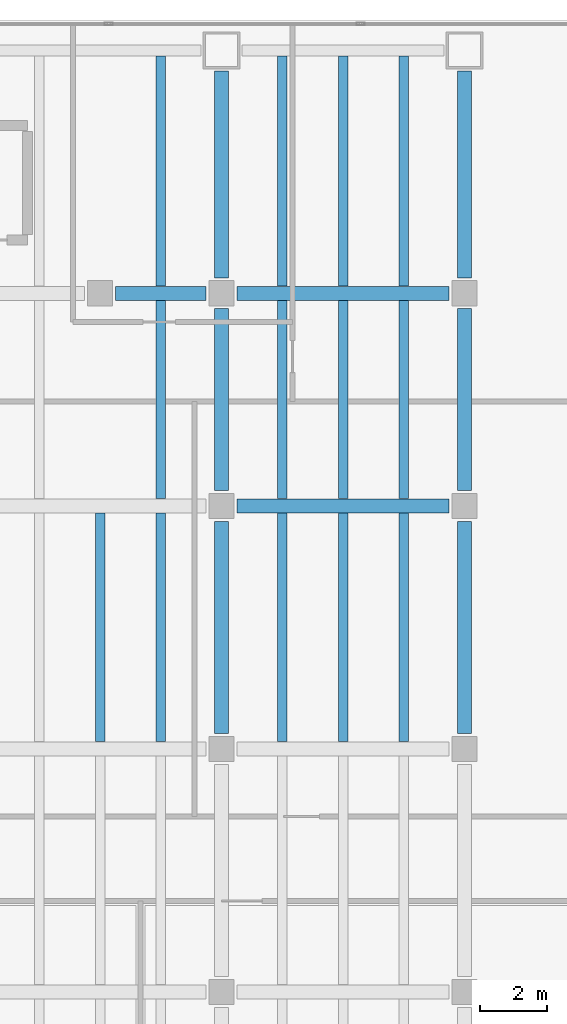
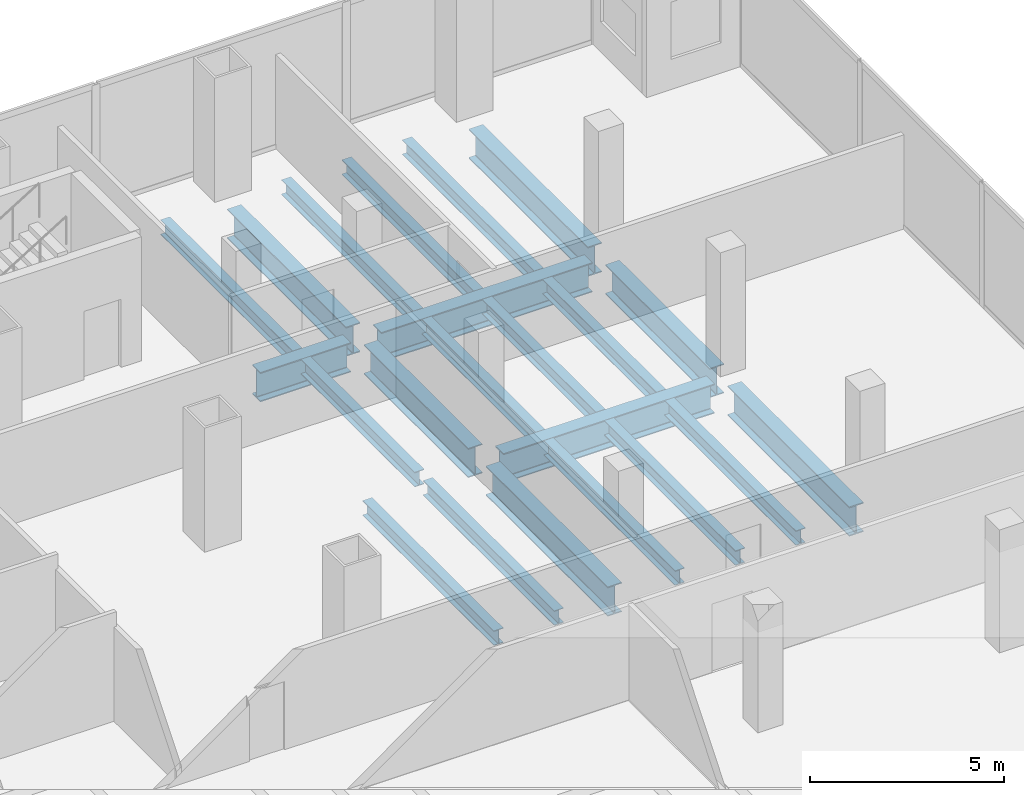
# One storey, part 13 of 28: 22 beams.
"""IFC4 building model written with IfcOpenShell, lengths in metres."""

import ifcopenshell
import ifcopenshell.guid

model = None  # the IFC model being written
_history = None  # IfcOwnerHistory: only IFC2X3 demands one
_inside = {}  # id of a spatial element -> (the spatial element, [elements in it])
_under = {}  # id of a project, library or spatial element -> (it, [spatial elements below it])
_declared = {}  # id of a project -> (the project, [libraries it declares])
_typed = {}  # id of a type object -> (the type object, [elements of that type])
_made_of = {}  # id of a material, layer set ... -> (it, [elements and type objects made of it])


def new_model(schema):
    """Start an empty IFC model of exactly this schema.

    Asked for "IFC4X3", IfcOpenShell would pick the latest addendum, in which some entities
    have other attributes; the version numbers below select the first issue.
    IFC2X3 requires an IfcOwnerHistory on every rooted entity: one is made here for all.
    """
    global model, _history
    if schema == "IFC4X3":
        model = ifcopenshell.file(schema_version=(4, 3, 0, 0))
    else:
        model = ifcopenshell.file(schema=schema)
    _inside.clear()
    _under.clear()
    _declared.clear()
    _typed.clear()
    _made_of.clear()
    _history = None
    if model.schema == "IFC2X3":
        org = make("IfcOrganization", Name="unknown")
        user = make(
            "IfcPersonAndOrganization",
            ThePerson=make("IfcPerson", FamilyName="unknown"),
            TheOrganization=org,
        )
        app = make(
            "IfcApplication",
            ApplicationDeveloper=org,
            Version="unknown",
            ApplicationFullName="unknown",
            ApplicationIdentifier="unknown",
        )
        _history = make(
            "IfcOwnerHistory",
            OwningUser=user,
            OwningApplication=app,
            ChangeAction="ADDED",
            CreationDate=0,
        )
    return model


def make(cls, **values):
    """One entity of the class cls with the attributes given. An attribute that is None is left unset."""
    return model.create_entity(
        cls, **{name: value for name, value in values.items() if value is not None}
    )


def rooted(cls, **values):
    """An entity with a GlobalId (a new one), such as an element, a storey or a relation."""
    return make(cls, GlobalId=ifcopenshell.guid.new(), OwnerHistory=_history, **values)


def si_unit(unit_type, name, prefix=None):
    """IfcSIUnit, for example si_unit("LENGTHUNIT", "METRE", prefix="MILLI")."""
    return make("IfcSIUnit", UnitType=unit_type, Prefix=prefix, Name=name)


def assignment(units):
    """IfcUnitAssignment: the units of a project."""
    return None if units is None else make("IfcUnitAssignment", Units=units)


def point(xyz):
    """IfcCartesianPoint."""
    return None if xyz is None else make("IfcCartesianPoint", Coordinates=xyz)


def direction(xyz):
    """IfcDirection."""
    return None if xyz is None else make("IfcDirection", DirectionRatios=xyz)


def frame(location, z_axis=None, x_axis=None):
    """IfcAxis2Placement3D, a coordinate frame: its origin and axes. An axis left out is left unset."""
    return make(
        "IfcAxis2Placement3D",
        Location=point(location),
        Axis=direction(z_axis),
        RefDirection=direction(x_axis),
    )


def frame_2d(location, x_axis=None):
    """IfcAxis2Placement2D, a coordinate frame in the plane: its origin and x axis."""
    return make(
        "IfcAxis2Placement2D", Location=point(location), RefDirection=direction(x_axis)
    )


def origin():
    """The frame at (0, 0, 0) with its axes left unset."""
    return frame((0.0, 0.0, 0.0))


def origin_2d():
    """The frame at (0, 0) in the plane with its x axis left unset."""
    return frame_2d((0.0, 0.0))


def place(relative_to, where):
    """IfcLocalPlacement: puts the frame where relative to a parent placement (None: the world)."""
    return make(
        "IfcLocalPlacement", PlacementRelTo=relative_to, RelativePlacement=where
    )


def context(
    kind, dimensions, precision=None, world=None, true_north=None, identifier=None
):
    """IfcGeometricRepresentationContext, for example the 3D "Model" context."""
    return make(
        "IfcGeometricRepresentationContext",
        ContextIdentifier=identifier,
        ContextType=kind,
        CoordinateSpaceDimension=dimensions,
        Precision=precision,
        WorldCoordinateSystem=world,
        TrueNorth=true_north,
    )


def subcontext(parent, identifier, kind, view, scale=None):
    """IfcGeometricRepresentationSubContext, for example "Body" below "Model"."""
    return make(
        "IfcGeometricRepresentationSubContext",
        ContextIdentifier=identifier,
        ContextType=kind,
        ParentContext=parent,
        TargetScale=scale,
        TargetView=view,
    )


def project(units=None, contexts=None):
    """IfcProject with its units and contexts."""
    return rooted(
        "IfcProject",
        Name="project",
        RepresentationContexts=contexts,
        UnitsInContext=assignment(units),
    )


def spatial(cls, under=None, at=None, **own):
    """A site, building, storey or space (cls), placed at a placement, below another one or the project."""
    s = rooted(cls, ObjectPlacement=at, **own)
    if under is not None:
        _under.setdefault(under.id(), (under, []))[1].append(s)
    return s


def profile(cls, at=None, kind="AREA", **sizes):
    """A parametric profile (cls). Its sizes go by their IFC names, for example OverallWidth=200.0."""
    return make(cls, ProfileType=kind, Position=at, **sizes)


def i_section(**sizes):
    """IfcIShapeProfileDef."""
    return profile("IfcIShapeProfileDef", **sizes)


def extrude(swept, where, along, depth):
    """IfcExtrudedAreaSolid: the profile swept, set in the frame where, extruded along a direction by depth."""
    return make(
        "IfcExtrudedAreaSolid",
        SweptArea=swept,
        Position=where,
        ExtrudedDirection=direction(along),
        Depth=depth,
    )


def shape(context_of_items, identifier, shape_type, items):
    """IfcShapeRepresentation: the items that make up one representation, for example the "Body"."""
    return make(
        "IfcShapeRepresentation",
        ContextOfItems=context_of_items,
        RepresentationIdentifier=identifier,
        RepresentationType=shape_type,
        Items=items,
    )


def material(Name=None, Category=None):
    """IfcMaterial."""
    return make("IfcMaterial", Name=Name, Category=Category)


def material_profile(
    of_material, cross_section, Name=None, Category=None, Priority=None
):
    """IfcMaterialProfile: a cross section and its material."""
    return make(
        "IfcMaterialProfile",
        Name=Name,
        Material=of_material,
        Profile=cross_section,
        Priority=Priority,
        Category=Category,
    )


def profile_set(profiles, Name=None, composite=None):
    """IfcMaterialProfileSet."""
    return make(
        "IfcMaterialProfileSet",
        Name=Name,
        MaterialProfiles=profiles,
        CompositeProfile=composite,
    )


def made_of(thing, what):
    """Note that an element or type object is made of a material, layer set ...; save() writes the relation."""
    if what is not None:
        _made_of.setdefault(what.id(), (what, []))[1].append(thing)
    return thing


def type_object(cls, material=None, **own):
    """A type object (cls), such as IfcWallType, which elements share."""
    return made_of(rooted(cls, **own), material)


def element(
    cls,
    number,
    at=None,
    inside=None,
    cuts=None,
    type_object=None,
    material=None,
    context=None,
    identifier="Body",
    shape_type=None,
    held_by="IfcProductDefinitionShape",
    body=None,
    shapes=None,
    **own,
):
    """One element of the class cls, such as IfcWall. Its Tag is "e" and its number.

    at: its placement. inside: the storey or other place that contains it. cuts: it is an
    opening in that element (IfcRelVoidsElement). A single representation is given by context,
    identifier, shape_type and body (its items); several are given by shapes. held_by: the class
    of the entity that holds the representations. save() writes the other relations.
    """
    e = rooted(cls, Tag="e%d" % number, ObjectPlacement=at, **own)
    if body is not None:
        shapes = [shape(context, identifier, shape_type, body)]
    if shapes is not None:
        e.Representation = make(held_by, Representations=shapes)
    if inside is not None:
        _inside.setdefault(inside.id(), (inside, []))[1].append(e)
    if cuts is not None:
        rooted(
            "IfcRelVoidsElement", RelatingBuildingElement=cuts, RelatedOpeningElement=e
        )
    if type_object is not None:
        _typed.setdefault(type_object.id(), (type_object, []))[1].append(e)
    return made_of(e, material)


def aggregate(whole, parts):
    """IfcRelAggregates: a whole, such as a stair, and the parts it consists of."""
    return rooted("IfcRelAggregates", RelatingObject=whole, RelatedObjects=parts)


def save(model, path):
    """Write the relations noted so far, then the file.

    IfcRelAggregates (storeys below a building ...), IfcRelContainedInSpatialStructure (elements
    in a storey), IfcRelDefinesByType, IfcRelAssociatesMaterial and IfcRelDeclares: one each for
    every whole, place, type object, material and project.
    """
    for whole, parts in _under.values():
        aggregate(whole, parts)
    for where, things in _inside.values():
        rooted(
            "IfcRelContainedInSpatialStructure",
            RelatedElements=things,
            RelatingStructure=where,
        )
    for kind, things in _typed.values():
        rooted("IfcRelDefinesByType", RelatedObjects=things, RelatingType=kind)
    for what, things in _made_of.values():
        rooted("IfcRelAssociatesMaterial", RelatedObjects=things, RelatingMaterial=what)
    for by, libraries in _declared.values():
        rooted("IfcRelDeclares", RelatingContext=by, RelatedDefinitions=libraries)
    model.write(path)


model = new_model("IFC4")

# Units and contexts
model_context = context("Model", 3, precision=1e-05, world=origin(), true_north=direction((0.0, 1.0)))
body_context = subcontext(model_context, "Body", "Model", "MODEL_VIEW")
ifc_project = project(units=[si_unit("LENGTHUNIT", "METRE"), si_unit("AREAUNIT", "SQUARE_METRE"), si_unit("VOLUMEUNIT", "CUBIC_METRE"), si_unit("PLANEANGLEUNIT", "RADIAN"), si_unit("MASSUNIT", "GRAM", prefix="KILO")], contexts=[model_context])

# Site, building, storey
site_placement = place(None, origin())
site = spatial("IfcSite", under=ifc_project, at=site_placement, CompositionType="ELEMENT")
building_placement = place(site_placement, origin())
building = spatial("IfcBuilding", under=site, at=building_placement, Name="Cobrela Telecom Tower", CompositionType="ELEMENT")
storey_placement = place(building_placement, frame((0.0, 0.0, 17.85009765625)))
storey = spatial("IfcBuildingStorey", under=building, at=storey_placement, Name="L04", CompositionType="ELEMENT", Elevation=17.85009765625)

# Beams
ifc_material = material(Name="Steel ASTM A992 Grade 50", Category="steel")
ifc_material_profile_1 = material_profile(ifc_material, i_section(OverallWidth=0.4189453125, OverallDepth=0.927001953125, WebThickness=0.019287109375, FlangeThickness=0.031982421875, FilletRadius=0.02392578125, at=origin_2d()), Name="W36X231")
ifc_profile_set_1 = profile_set([ifc_material_profile_1], Name="Steel ASTM A992 Grade 50")
beam_type_1 = type_object("IfcBeamType", Name="BM-GIRD-02", PredefinedType="USERDEFINED", material=ifc_profile_set_1)
beam_1_placement = place(storey_placement, frame((36.455078125, 36.0, -0.753662109375), z_axis=(1.0, 0.0, 0.0), x_axis=(0.0, 1.0, 0.0)))
element("IfcBeam", 1, at=beam_1_placement, inside=storey, type_object=beam_type_1, Name="L04 Primary Girder X45", ObjectType="GIRDER", PredefinedType="USERDEFINED", context=body_context, shape_type="SweptSolid", body=[
    extrude(i_section(OverallWidth=0.4189453125, OverallDepth=0.927001953125, WebThickness=0.019287109375, FlangeThickness=0.031982421875, FilletRadius=0.02392578125, at=origin_2d()), origin(), (0.0, 0.0, 1.0), 6.2900390625),
])
beam_2_placement = place(storey_placement, frame((32.85498046875, 42.300048828125, -0.753662109375), z_axis=(1.0, 0.0, 0.0), x_axis=(0.0, 1.0, 0.0)))
element("IfcBeam", 2, at=beam_2_placement, inside=storey, type_object=beam_type_1, Name="L04 Primary Girder X50", ObjectType="GIRDER", PredefinedType="USERDEFINED", context=body_context, shape_type="SweptSolid", body=[
    extrude(i_section(OverallWidth=0.4189453125, OverallDepth=0.927001953125, WebThickness=0.019287109375, FlangeThickness=0.031982421875, FilletRadius=0.02392578125, at=origin_2d()), origin(), (0.0, 0.0, 1.0), 2.68994140625),
])
for number, where, z_axis, x_axis, name in (
    (3, (36.455078125, 42.300048828125, -0.753662109375), (1.0, 0.0, 0.0), (0.0, 1.0, 0.0), "L04 Primary Girder X51"),
    (4, (36.0, 29.2548828125, -0.753662109375), (0.0, 1.0, 0.0), (-1.0, 0.0, 0.0), "L04 Primary Girder Y75"),
):
    element("IfcBeam", number, at=place(storey_placement, frame(where, z_axis=z_axis, x_axis=x_axis)), inside=storey, type_object=beam_type_1, Name=name, ObjectType="GIRDER", PredefinedType="USERDEFINED", context=body_context, shape_type="SweptSolid", body=[
        extrude(i_section(OverallWidth=0.4189453125, OverallDepth=0.927001953125, WebThickness=0.019287109375, FlangeThickness=0.031982421875, FilletRadius=0.02392578125, at=origin_2d()), origin(), (0.0, 0.0, 1.0), 6.2900390625),
    ])
beam_3_placement = place(storey_placement, frame((36.0, 36.455078125, -0.753662109375), z_axis=(0.0, 1.0, 0.0), x_axis=(-1.0, 0.0, 0.0)))
element("IfcBeam", 5, at=beam_3_placement, inside=storey, type_object=beam_type_1, Name="L04 Primary Girder Y76", ObjectType="GIRDER", PredefinedType="USERDEFINED", context=body_context, shape_type="SweptSolid", body=[
    extrude(i_section(OverallWidth=0.4189453125, OverallDepth=0.927001953125, WebThickness=0.019287109375, FlangeThickness=0.031982421875, FilletRadius=0.02392578125, at=origin_2d()), origin(), (0.0, 0.0, 1.0), 5.389892578125),
])
beam_4_placement = place(storey_placement, frame((36.0, 42.7548828125, -0.753662109375), z_axis=(0.0, 1.0, 0.0), x_axis=(-1.0, 0.0, 0.0)))
element("IfcBeam", 6, at=beam_4_placement, inside=storey, type_object=beam_type_1, Name="L04 Primary Girder Y77", ObjectType="GIRDER", PredefinedType="USERDEFINED", context=body_context, shape_type="SweptSolid", body=[
    extrude(i_section(OverallWidth=0.4189453125, OverallDepth=0.927001953125, WebThickness=0.019287109375, FlangeThickness=0.031982421875, FilletRadius=0.02392578125, at=origin_2d()), origin(), (0.0, 0.0, 1.0), 6.14013671875),
])
beam_5_placement = place(storey_placement, frame((43.199951171875, 29.2548828125, -0.753662109375), z_axis=(0.0, 1.0, 0.0), x_axis=(-1.0, 0.0, 0.0)))
element("IfcBeam", 7, at=beam_5_placement, inside=storey, type_object=beam_type_1, Name="L04 Primary Girder Y82", ObjectType="GIRDER", PredefinedType="USERDEFINED", context=body_context, shape_type="SweptSolid", body=[
    extrude(i_section(OverallWidth=0.4189453125, OverallDepth=0.927001953125, WebThickness=0.019287109375, FlangeThickness=0.031982421875, FilletRadius=0.02392578125, at=origin_2d()), origin(), (0.0, 0.0, 1.0), 6.2900390625),
])
beam_6_placement = place(storey_placement, frame((43.199951171875, 36.455078125, -0.753662109375), z_axis=(0.0, 1.0, 0.0), x_axis=(-1.0, 0.0, 0.0)))
element("IfcBeam", 8, at=beam_6_placement, inside=storey, type_object=beam_type_1, Name="L04 Primary Girder Y83", ObjectType="GIRDER", PredefinedType="USERDEFINED", context=body_context, shape_type="SweptSolid", body=[
    extrude(i_section(OverallWidth=0.4189453125, OverallDepth=0.927001953125, WebThickness=0.019287109375, FlangeThickness=0.031982421875, FilletRadius=0.02392578125, at=origin_2d()), origin(), (0.0, 0.0, 1.0), 5.389892578125),
])
beam_7_placement = place(storey_placement, frame((43.199951171875, 42.7548828125, -0.753662109375), z_axis=(0.0, 1.0, 0.0), x_axis=(-1.0, 0.0, 0.0)))
element("IfcBeam", 9, at=beam_7_placement, inside=storey, type_object=beam_type_1, Name="L04 Primary Girder Y84", ObjectType="GIRDER", PredefinedType="USERDEFINED", context=body_context, shape_type="SweptSolid", body=[
    extrude(i_section(OverallWidth=0.4189453125, OverallDepth=0.927001953125, WebThickness=0.019287109375, FlangeThickness=0.031982421875, FilletRadius=0.02392578125, at=origin_2d()), origin(), (0.0, 0.0, 1.0), 6.14013671875),
])
ifc_material_profile_2 = material_profile(ifc_material, i_section(OverallWidth=0.281982421875, OverallDepth=0.467041015625, WebThickness=0.01220703125, FlangeThickness=0.01953125, FilletRadius=0.012939453125, at=origin_2d()), Name="W18X86")
ifc_profile_set_2 = profile_set([ifc_material_profile_2], Name="Steel ASTM A992 Grade 50")
beam_type_2 = type_object("IfcBeamType", Name="BM-JOIST-02", PredefinedType="JOIST", material=ifc_profile_set_2)
for number, where, z_axis, x_axis, name in (
    (10, (32.39990234375, 29.014404296875, -0.523681640625), (0.0, 1.0, 0.0), (-1.0, 0.0, 0.0), "L04 Secondary Composite Floor Beam J62"),
    (11, (34.199951171875, 29.014404296875, -0.523681640625), (0.0, 1.0, 0.0), (-1.0, 0.0, 0.0), "L04 Secondary Composite Floor Beam J67"),
):
    element("IfcBeam", number, at=place(storey_placement, frame(where, z_axis=z_axis, x_axis=x_axis)), inside=storey, type_object=beam_type_2, Name=name, PredefinedType="JOIST", context=body_context, shape_type="SweptSolid", body=[
        extrude(i_section(OverallWidth=0.281982421875, OverallDepth=0.467041015625, WebThickness=0.01220703125, FlangeThickness=0.01953125, FilletRadius=0.012939453125, at=origin_2d()), origin(), (0.0, 0.0, 1.0), 6.77099609375),
    ])
beam_8_placement = place(storey_placement, frame((34.199951171875, 36.214599609375, -0.523681640625), z_axis=(0.0, 1.0, 0.0), x_axis=(-1.0, 0.0, 0.0)))
element("IfcBeam", 12, at=beam_8_placement, inside=storey, type_object=beam_type_2, Name="L04 Secondary Composite Floor Beam J68", PredefinedType="JOIST", context=body_context, shape_type="SweptSolid", body=[
    extrude(i_section(OverallWidth=0.281982421875, OverallDepth=0.467041015625, WebThickness=0.01220703125, FlangeThickness=0.01953125, FilletRadius=0.012939453125, at=origin_2d()), origin(), (0.0, 0.0, 1.0), 5.870849609375),
])
beam_9_placement = place(storey_placement, frame((34.199951171875, 42.514404296875, -0.523681640625), z_axis=(0.0, 1.0, 0.0), x_axis=(-1.0, 0.0, 0.0)))
element("IfcBeam", 13, at=beam_9_placement, inside=storey, type_object=beam_type_2, Name="L04 Secondary Composite Floor Beam J69", PredefinedType="JOIST", context=body_context, shape_type="SweptSolid", body=[
    extrude(i_section(OverallWidth=0.281982421875, OverallDepth=0.467041015625, WebThickness=0.01220703125, FlangeThickness=0.01953125, FilletRadius=0.012939453125, at=origin_2d()), origin(), (0.0, 0.0, 1.0), 6.818115234375),
])
beam_10_placement = place(storey_placement, frame((37.800048828125, 29.014404296875, -0.523681640625), z_axis=(0.0, 1.0, 0.0), x_axis=(-1.0, 0.0, 0.0)))
element("IfcBeam", 14, at=beam_10_placement, inside=storey, type_object=beam_type_2, Name="L04 Secondary Composite Floor Beam J74", PredefinedType="JOIST", context=body_context, shape_type="SweptSolid", body=[
    extrude(i_section(OverallWidth=0.281982421875, OverallDepth=0.467041015625, WebThickness=0.01220703125, FlangeThickness=0.01953125, FilletRadius=0.012939453125, at=origin_2d()), origin(), (0.0, 0.0, 1.0), 6.77099609375),
])
beam_11_placement = place(storey_placement, frame((37.800048828125, 36.214599609375, -0.523681640625), z_axis=(0.0, 1.0, 0.0), x_axis=(-1.0, 0.0, 0.0)))
element("IfcBeam", 15, at=beam_11_placement, inside=storey, type_object=beam_type_2, Name="L04 Secondary Composite Floor Beam J75", PredefinedType="JOIST", context=body_context, shape_type="SweptSolid", body=[
    extrude(i_section(OverallWidth=0.281982421875, OverallDepth=0.467041015625, WebThickness=0.01220703125, FlangeThickness=0.01953125, FilletRadius=0.012939453125, at=origin_2d()), origin(), (0.0, 0.0, 1.0), 5.870849609375),
])
beam_12_placement = place(storey_placement, frame((37.800048828125, 42.514404296875, -0.523681640625), z_axis=(0.0, 1.0, 0.0), x_axis=(-1.0, 0.0, 0.0)))
element("IfcBeam", 16, at=beam_12_placement, inside=storey, type_object=beam_type_2, Name="L04 Secondary Composite Floor Beam J76", PredefinedType="JOIST", context=body_context, shape_type="SweptSolid", body=[
    extrude(i_section(OverallWidth=0.281982421875, OverallDepth=0.467041015625, WebThickness=0.01220703125, FlangeThickness=0.01953125, FilletRadius=0.012939453125, at=origin_2d()), origin(), (0.0, 0.0, 1.0), 6.818115234375),
])
beam_13_placement = place(storey_placement, frame((39.60009765625, 29.014404296875, -0.523681640625), z_axis=(0.0, 1.0, 0.0), x_axis=(-1.0, 0.0, 0.0)))
element("IfcBeam", 17, at=beam_13_placement, inside=storey, type_object=beam_type_2, Name="L04 Secondary Composite Floor Beam J81", PredefinedType="JOIST", context=body_context, shape_type="SweptSolid", body=[
    extrude(i_section(OverallWidth=0.281982421875, OverallDepth=0.467041015625, WebThickness=0.01220703125, FlangeThickness=0.01953125, FilletRadius=0.012939453125, at=origin_2d()), origin(), (0.0, 0.0, 1.0), 6.77099609375),
])
beam_14_placement = place(storey_placement, frame((39.60009765625, 36.214599609375, -0.523681640625), z_axis=(0.0, 1.0, 0.0), x_axis=(-1.0, 0.0, 0.0)))
element("IfcBeam", 18, at=beam_14_placement, inside=storey, type_object=beam_type_2, Name="L04 Secondary Composite Floor Beam J82", PredefinedType="JOIST", context=body_context, shape_type="SweptSolid", body=[
    extrude(i_section(OverallWidth=0.281982421875, OverallDepth=0.467041015625, WebThickness=0.01220703125, FlangeThickness=0.01953125, FilletRadius=0.012939453125, at=origin_2d()), origin(), (0.0, 0.0, 1.0), 5.870849609375),
])
beam_15_placement = place(storey_placement, frame((39.60009765625, 42.514404296875, -0.523681640625), z_axis=(0.0, 1.0, 0.0), x_axis=(-1.0, 0.0, 0.0)))
element("IfcBeam", 19, at=beam_15_placement, inside=storey, type_object=beam_type_2, Name="L04 Secondary Composite Floor Beam J83", PredefinedType="JOIST", context=body_context, shape_type="SweptSolid", body=[
    extrude(i_section(OverallWidth=0.281982421875, OverallDepth=0.467041015625, WebThickness=0.01220703125, FlangeThickness=0.01953125, FilletRadius=0.012939453125, at=origin_2d()), origin(), (0.0, 0.0, 1.0), 6.818115234375),
])
beam_16_placement = place(storey_placement, frame((41.39990234375, 29.014404296875, -0.523681640625), z_axis=(0.0, 1.0, 0.0), x_axis=(-1.0, 0.0, 0.0)))
element("IfcBeam", 20, at=beam_16_placement, inside=storey, type_object=beam_type_2, Name="L04 Secondary Composite Floor Beam J88", PredefinedType="JOIST", context=body_context, shape_type="SweptSolid", body=[
    extrude(i_section(OverallWidth=0.281982421875, OverallDepth=0.467041015625, WebThickness=0.01220703125, FlangeThickness=0.01953125, FilletRadius=0.012939453125, at=origin_2d()), origin(), (0.0, 0.0, 1.0), 6.77099609375),
])
beam_17_placement = place(storey_placement, frame((41.39990234375, 36.214599609375, -0.523681640625), z_axis=(0.0, 1.0, 0.0), x_axis=(-1.0, 0.0, 0.0)))
element("IfcBeam", 21, at=beam_17_placement, inside=storey, type_object=beam_type_2, Name="L04 Secondary Composite Floor Beam J89", PredefinedType="JOIST", context=body_context, shape_type="SweptSolid", body=[
    extrude(i_section(OverallWidth=0.281982421875, OverallDepth=0.467041015625, WebThickness=0.01220703125, FlangeThickness=0.01953125, FilletRadius=0.012939453125, at=origin_2d()), origin(), (0.0, 0.0, 1.0), 5.870849609375),
])
beam_18_placement = place(storey_placement, frame((41.39990234375, 42.514404296875, -0.523681640625), z_axis=(0.0, 1.0, 0.0), x_axis=(-1.0, 0.0, 0.0)))
element("IfcBeam", 22, at=beam_18_placement, inside=storey, type_object=beam_type_2, Name="L04 Secondary Composite Floor Beam J90", PredefinedType="JOIST", context=body_context, shape_type="SweptSolid", body=[
    extrude(i_section(OverallWidth=0.281982421875, OverallDepth=0.467041015625, WebThickness=0.01220703125, FlangeThickness=0.01953125, FilletRadius=0.012939453125, at=origin_2d()), origin(), (0.0, 0.0, 1.0), 6.818115234375),
])

save(model, "model.ifc")
